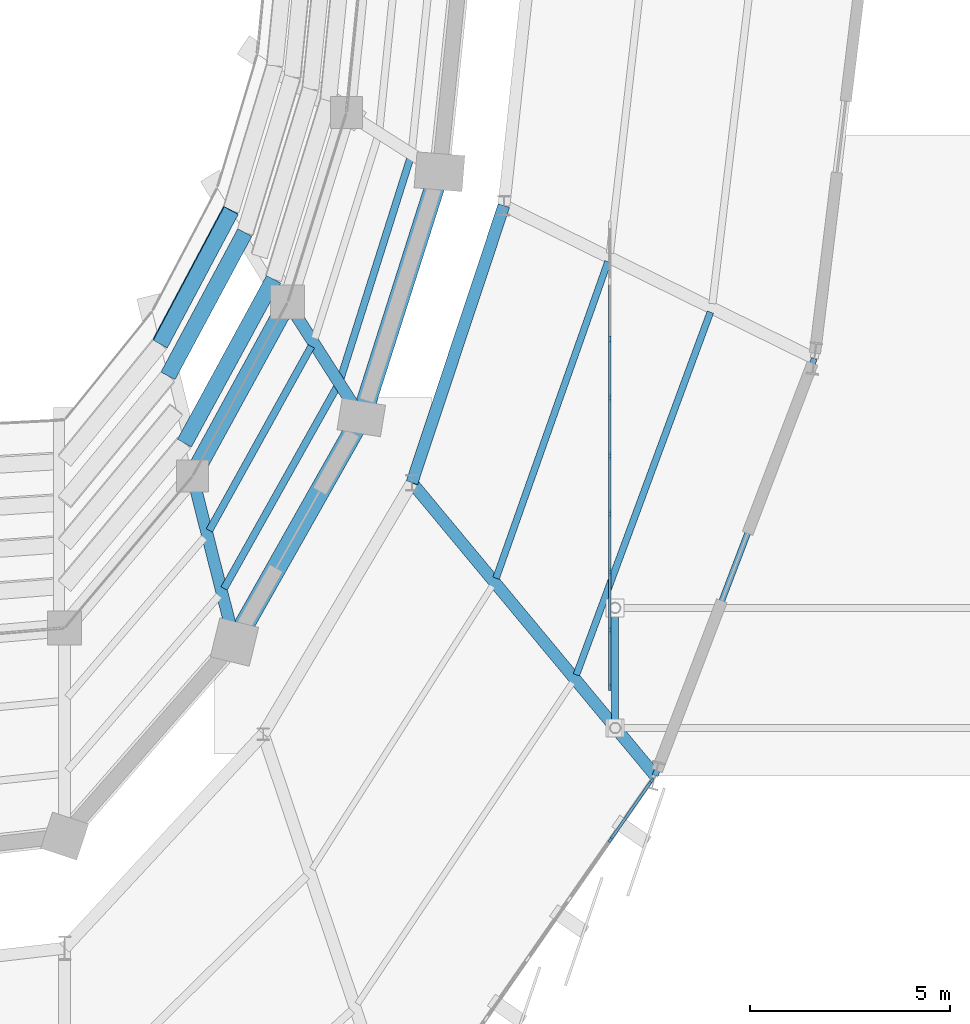
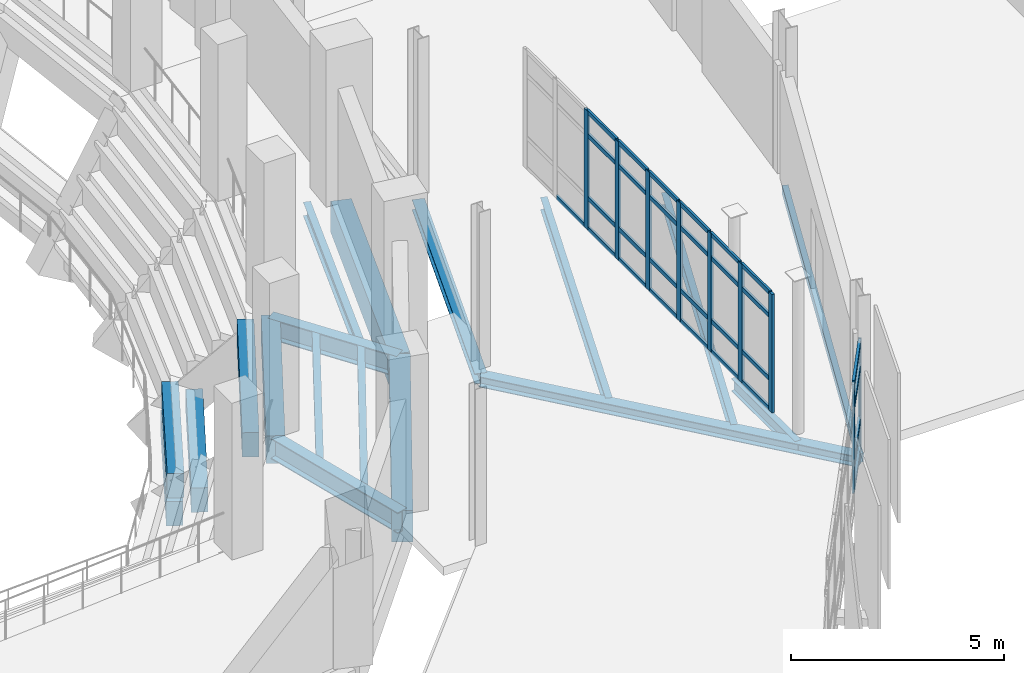
# One storey, part 68 of 134: 38 members, 18 beams, 2 elements without a shape of their own.
"""IFC4 building model written with IfcOpenShell, lengths in metres."""

from ifc_helpers import new_model, si_unit, direction, frame, origin, origin_2d, place, context, subcontext, project, spatial, rectangle, hollow_rectangle, i_section, extrude, material, layer, layer_set, material_profile, profile_set, type_object, element, aggregate, save


model = new_model("IFC4")

# Units and contexts
model_context = context("Model", 3, precision=1e-05, world=origin(), true_north=direction((0.0, 1.0)))
body_context = subcontext(model_context, "Body", "Model", "MODEL_VIEW")
ifc_project = project(units=[si_unit("LENGTHUNIT", "METRE"), si_unit("AREAUNIT", "SQUARE_METRE"), si_unit("VOLUMEUNIT", "CUBIC_METRE"), si_unit("PLANEANGLEUNIT", "RADIAN"), si_unit("MASSUNIT", "GRAM", prefix="KILO")], contexts=[model_context])

# Site, building, storey
site_placement = place(None, origin())
site = spatial("IfcSite", under=ifc_project, at=site_placement, CompositionType="ELEMENT")
building_placement = place(site_placement, origin())
building = spatial("IfcBuilding", under=site, at=building_placement, Name="Sohan Crest Arena", CompositionType="ELEMENT")
storey_placement = place(building_placement, frame((0.0, 0.0, 4.5)))
storey = spatial("IfcBuildingStorey", under=building, at=storey_placement, Name="L01", CompositionType="ELEMENT", Elevation=4.5)

# Curtain wall, members
ifc_material_1 = material(Name="Thermally broken anodised aluminium", Category="aluminium")
ifc_layer_1 = layer(ifc_material_1, 0.219970703125, Name="Thermally broken anodised aluminium")
ifc_layer_set_1 = layer_set([ifc_layer_1], Name="Thermally broken anodised aluminium")
curtain_wall_type_1 = type_object("IfcCurtainWallType", Name="ARC-CW03", PredefinedType="NOTDEFINED", material=ifc_layer_set_1)
curtain_wall_1_placement = place(storey_placement, origin())
curtain_wall_1 = element("IfcCurtainWall", 1, at=curtain_wall_1_placement, inside=storey, type_object=curtain_wall_type_1, Name="Unitised curtain wall CW-038", PredefinedType="NOTDEFINED")
ifc_material_profile_1 = material_profile(ifc_material_1, rectangle(XDim=0.06005859375, YDim=0.159912109375, at=origin_2d()), Name="ALU-MULL 60x160")
ifc_profile_set_1 = profile_set([ifc_material_profile_1], Name="Thermally broken anodised aluminium")
member_type_1 = type_object("IfcMemberType", Name="ARC-CW-ML01", PredefinedType="MULLION", material=ifc_profile_set_1)
member_1_placement = place(storey_placement, frame((181.638671875, 54.91357421875, 0.0), z_axis=(0.0, 0.0, 1.0), x_axis=(-0.821013728019, 0.570908450107, 0.0)))
member_1 = element("IfcMember", 2, at=member_1_placement, type_object=member_type_1, Name="CW-038 mullion 6", PredefinedType="MULLION", context=body_context, shape_type="SweptSolid", body=[
    extrude(rectangle(XDim=0.06005859375, YDim=0.159912109375, at=origin_2d()), origin(), (0.0, 0.0, 1.0), 3.1201171875),
])
member_2_placement = place(storey_placement, frame((182.657958984375, 56.37939453125, 0.0), z_axis=(0.0, 0.0, 1.0), x_axis=(-0.821013728019, 0.570908450107, 0.0)))
member_2 = element("IfcMember", 3, at=member_2_placement, type_object=member_type_1, Name="CW-038 mullion 7", PredefinedType="MULLION", context=body_context, shape_type="SweptSolid", body=[
    extrude(rectangle(XDim=0.06005859375, YDim=0.159912109375, at=origin_2d()), origin(), (0.0, 0.0, 1.0), 3.1201171875),
])

ifc_layer_2 = layer(ifc_material_1, 0.18994140625, Name="Thermally broken anodised aluminium")
ifc_layer_set_2 = layer_set([ifc_layer_2], Name="Thermally broken anodised aluminium")
curtain_wall_type_2 = type_object("IfcCurtainWallType", Name="ARC-CW05", PredefinedType="NOTDEFINED", material=ifc_layer_set_2)
curtain_wall_2_placement = place(storey_placement, origin())
curtain_wall_2 = element("IfcCurtainWall", 4, at=curtain_wall_2_placement, inside=storey, type_object=curtain_wall_type_2, Name="Unitised curtain wall CW-241", PredefinedType="NOTDEFINED")
ifc_material_profile_2 = material_profile(ifc_material_1, rectangle(XDim=0.06494140625, YDim=0.179931640625, at=origin_2d()), Name="ALU-MULL 65x180")
ifc_profile_set_2 = profile_set([ifc_material_profile_2], Name="Thermally broken anodised aluminium")
member_type_2 = type_object("IfcMemberType", Name="ARC-CW-ML02", PredefinedType="MULLION", material=ifc_profile_set_2)
member_3_placement = place(storey_placement, frame((181.6201171875, 58.732421875, 0.0), z_axis=(0.0, 0.0, 1.0), x_axis=(-1.0, 0.0, 0.0)))
member_3 = element("IfcMember", 5, at=member_3_placement, type_object=member_type_2, Name="CW-241 mullion 1", PredefinedType="MULLION", context=body_context, shape_type="SweptSolid", body=[
    extrude(rectangle(XDim=0.06494140625, YDim=0.179931640625, at=origin_2d()), origin(), (0.0, 0.0, 1.0), 3.39990234375),
])
member_4_placement = place(storey_placement, frame((181.6201171875, 60.14990234375, 0.0), z_axis=(0.0, 0.0, 1.0), x_axis=(-1.0, 0.0, 0.0)))
member_4 = element("IfcMember", 6, at=member_4_placement, type_object=member_type_2, Name="CW-241 mullion 2", PredefinedType="MULLION", context=body_context, shape_type="SweptSolid", body=[
    extrude(rectangle(XDim=0.06494140625, YDim=0.179931640625, at=origin_2d()), origin(), (0.0, 0.0, 1.0), 3.39990234375),
])
member_5_placement = place(storey_placement, frame((181.6201171875, 61.60009765625, 0.0), z_axis=(0.0, 0.0, 1.0), x_axis=(-1.0, 0.0, 0.0)))
member_5 = element("IfcMember", 7, at=member_5_placement, type_object=member_type_2, Name="CW-241 mullion 3", PredefinedType="MULLION", context=body_context, shape_type="SweptSolid", body=[
    extrude(rectangle(XDim=0.06494140625, YDim=0.179931640625, at=origin_2d()), origin(), (0.0, 0.0, 1.0), 3.39990234375),
])
member_6_placement = place(storey_placement, frame((181.6201171875, 63.050048828125, 0.0), z_axis=(0.0, 0.0, 1.0), x_axis=(-1.0, 0.0, 0.0)))
member_6 = element("IfcMember", 8, at=member_6_placement, type_object=member_type_2, Name="CW-241 mullion 4", PredefinedType="MULLION", context=body_context, shape_type="SweptSolid", body=[
    extrude(rectangle(XDim=0.06494140625, YDim=0.179931640625, at=origin_2d()), origin(), (0.0, 0.0, 1.0), 3.39990234375),
])
member_7_placement = place(storey_placement, frame((181.6201171875, 64.5, 0.0), z_axis=(0.0, 0.0, 1.0), x_axis=(-1.0, 0.0, 0.0)))
member_7 = element("IfcMember", 9, at=member_7_placement, type_object=member_type_2, Name="CW-241 mullion 5", PredefinedType="MULLION", context=body_context, shape_type="SweptSolid", body=[
    extrude(rectangle(XDim=0.06494140625, YDim=0.179931640625, at=origin_2d()), origin(), (0.0, 0.0, 1.0), 3.39990234375),
])
member_8_placement = place(storey_placement, frame((181.6201171875, 65.949951171875, 0.0), z_axis=(0.0, 0.0, 1.0), x_axis=(-1.0, 0.0, 0.0)))
member_8 = element("IfcMember", 10, at=member_8_placement, type_object=member_type_2, Name="CW-241 mullion 6", PredefinedType="MULLION", context=body_context, shape_type="SweptSolid", body=[
    extrude(rectangle(XDim=0.06494140625, YDim=0.179931640625, at=origin_2d()), origin(), (0.0, 0.0, 1.0), 3.39990234375),
])
member_9_placement = place(storey_placement, frame((181.6201171875, 67.39990234375, 0.0), z_axis=(0.0, 0.0, 1.0), x_axis=(-1.0, 0.0, 0.0)))
member_9 = element("IfcMember", 11, at=member_9_placement, type_object=member_type_2, Name="CW-241 mullion 7", PredefinedType="MULLION", context=body_context, shape_type="SweptSolid", body=[
    extrude(rectangle(XDim=0.06494140625, YDim=0.179931640625, at=origin_2d()), origin(), (0.0, 0.0, 1.0), 3.39990234375),
])
ifc_material_profile_3 = material_profile(ifc_material_1, rectangle(XDim=0.06005859375, YDim=0.1201171875, at=origin_2d()), Name="ALU-TRAN 60x120")
ifc_profile_set_3 = profile_set([ifc_material_profile_3], Name="Thermally broken anodised aluminium")
member_type_3 = type_object("IfcMemberType", Name="ARC-CW-TR01", PredefinedType="USERDEFINED", material=ifc_profile_set_3)
member_10_placement = place(storey_placement, frame((181.6201171875, 58.764892578125, 0.030029296875), z_axis=(0.0, 1.0, 0.0), x_axis=(-1.0, 0.0, 0.0)))
member_10 = element("IfcMember", 12, at=member_10_placement, type_object=member_type_3, Name="CW-241 transom 1.1", ObjectType="TRANSOM", PredefinedType="USERDEFINED", context=body_context, shape_type="SweptSolid", body=[
    extrude(rectangle(XDim=0.06005859375, YDim=0.1201171875, at=origin_2d()), origin(), (0.0, 0.0, 1.0), 1.3525390625),
])
member_11_placement = place(storey_placement, frame((181.6201171875, 58.764892578125, 0.89990234375), z_axis=(0.0, 1.0, 0.0), x_axis=(-1.0, 0.0, 0.0)))
member_11 = element("IfcMember", 13, at=member_11_placement, type_object=member_type_3, Name="CW-241 transom 1.2", ObjectType="TRANSOM", PredefinedType="USERDEFINED", context=body_context, shape_type="SweptSolid", body=[
    extrude(rectangle(XDim=0.06005859375, YDim=0.1201171875, at=origin_2d()), origin(), (0.0, 0.0, 1.0), 1.3525390625),
])
member_12_placement = place(storey_placement, frame((181.6201171875, 58.764892578125, 2.699951171875), z_axis=(0.0, 1.0, 0.0), x_axis=(-1.0, 0.0, 0.0)))
member_12 = element("IfcMember", 14, at=member_12_placement, type_object=member_type_3, Name="CW-241 transom 1.3", ObjectType="TRANSOM", PredefinedType="USERDEFINED", context=body_context, shape_type="SweptSolid", body=[
    extrude(rectangle(XDim=0.06005859375, YDim=0.1201171875, at=origin_2d()), origin(), (0.0, 0.0, 1.0), 1.3525390625),
])
member_13_placement = place(storey_placement, frame((181.6201171875, 58.764892578125, 3.3701171875), z_axis=(0.0, 1.0, 0.0), x_axis=(-1.0, 0.0, 0.0)))
member_13 = element("IfcMember", 15, at=member_13_placement, type_object=member_type_3, Name="CW-241 transom 1.4", ObjectType="TRANSOM", PredefinedType="USERDEFINED", context=body_context, shape_type="SweptSolid", body=[
    extrude(rectangle(XDim=0.06005859375, YDim=0.1201171875, at=origin_2d()), origin(), (0.0, 0.0, 1.0), 1.3525390625),
])
member_14_placement = place(storey_placement, frame((181.6201171875, 60.1826171875, 0.030029296875), z_axis=(0.0, 1.0, 0.0), x_axis=(-1.0, 0.0, 0.0)))
member_14 = element("IfcMember", 16, at=member_14_placement, type_object=member_type_3, Name="CW-241 transom 2.1", ObjectType="TRANSOM", PredefinedType="USERDEFINED", context=body_context, shape_type="SweptSolid", body=[
    extrude(rectangle(XDim=0.06005859375, YDim=0.1201171875, at=origin_2d()), origin(), (0.0, 0.0, 1.0), 1.384765625),
])
member_15_placement = place(storey_placement, frame((181.6201171875, 60.1826171875, 0.89990234375), z_axis=(0.0, 1.0, 0.0), x_axis=(-1.0, 0.0, 0.0)))
member_15 = element("IfcMember", 17, at=member_15_placement, type_object=member_type_3, Name="CW-241 transom 2.2", ObjectType="TRANSOM", PredefinedType="USERDEFINED", context=body_context, shape_type="SweptSolid", body=[
    extrude(rectangle(XDim=0.06005859375, YDim=0.1201171875, at=origin_2d()), origin(), (0.0, 0.0, 1.0), 1.384765625),
])
member_16_placement = place(storey_placement, frame((181.6201171875, 60.1826171875, 2.699951171875), z_axis=(0.0, 1.0, 0.0), x_axis=(-1.0, 0.0, 0.0)))
member_16 = element("IfcMember", 18, at=member_16_placement, type_object=member_type_3, Name="CW-241 transom 2.3", ObjectType="TRANSOM", PredefinedType="USERDEFINED", context=body_context, shape_type="SweptSolid", body=[
    extrude(rectangle(XDim=0.06005859375, YDim=0.1201171875, at=origin_2d()), origin(), (0.0, 0.0, 1.0), 1.384765625),
])
member_17_placement = place(storey_placement, frame((181.6201171875, 60.1826171875, 3.3701171875), z_axis=(0.0, 1.0, 0.0), x_axis=(-1.0, 0.0, 0.0)))
member_17 = element("IfcMember", 19, at=member_17_placement, type_object=member_type_3, Name="CW-241 transom 2.4", ObjectType="TRANSOM", PredefinedType="USERDEFINED", context=body_context, shape_type="SweptSolid", body=[
    extrude(rectangle(XDim=0.06005859375, YDim=0.1201171875, at=origin_2d()), origin(), (0.0, 0.0, 1.0), 1.384765625),
])
member_18_placement = place(storey_placement, frame((181.6201171875, 61.632568359375, 0.030029296875), z_axis=(0.0, 1.0, 0.0), x_axis=(-1.0, 0.0, 0.0)))
member_18 = element("IfcMember", 20, at=member_18_placement, type_object=member_type_3, Name="CW-241 transom 3.1", ObjectType="TRANSOM", PredefinedType="USERDEFINED", context=body_context, shape_type="SweptSolid", body=[
    extrude(rectangle(XDim=0.06005859375, YDim=0.1201171875, at=origin_2d()), origin(), (0.0, 0.0, 1.0), 1.385009765625),
])
member_19_placement = place(storey_placement, frame((181.6201171875, 61.632568359375, 0.89990234375), z_axis=(0.0, 1.0, 0.0), x_axis=(-1.0, 0.0, 0.0)))
member_19 = element("IfcMember", 21, at=member_19_placement, type_object=member_type_3, Name="CW-241 transom 3.2", ObjectType="TRANSOM", PredefinedType="USERDEFINED", context=body_context, shape_type="SweptSolid", body=[
    extrude(rectangle(XDim=0.06005859375, YDim=0.1201171875, at=origin_2d()), origin(), (0.0, 0.0, 1.0), 1.385009765625),
])
member_20_placement = place(storey_placement, frame((181.6201171875, 61.632568359375, 2.699951171875), z_axis=(0.0, 1.0, 0.0), x_axis=(-1.0, 0.0, 0.0)))
member_20 = element("IfcMember", 22, at=member_20_placement, type_object=member_type_3, Name="CW-241 transom 3.3", ObjectType="TRANSOM", PredefinedType="USERDEFINED", context=body_context, shape_type="SweptSolid", body=[
    extrude(rectangle(XDim=0.06005859375, YDim=0.1201171875, at=origin_2d()), origin(), (0.0, 0.0, 1.0), 1.385009765625),
])
member_21_placement = place(storey_placement, frame((181.6201171875, 61.632568359375, 3.3701171875), z_axis=(0.0, 1.0, 0.0), x_axis=(-1.0, 0.0, 0.0)))
member_21 = element("IfcMember", 23, at=member_21_placement, type_object=member_type_3, Name="CW-241 transom 3.4", ObjectType="TRANSOM", PredefinedType="USERDEFINED", context=body_context, shape_type="SweptSolid", body=[
    extrude(rectangle(XDim=0.06005859375, YDim=0.1201171875, at=origin_2d()), origin(), (0.0, 0.0, 1.0), 1.385009765625),
])
member_22_placement = place(storey_placement, frame((181.6201171875, 63.08251953125, 0.030029296875), z_axis=(0.0, 1.0, 0.0), x_axis=(-1.0, 0.0, 0.0)))
member_22 = element("IfcMember", 24, at=member_22_placement, type_object=member_type_3, Name="CW-241 transom 4.1", ObjectType="TRANSOM", PredefinedType="USERDEFINED", context=body_context, shape_type="SweptSolid", body=[
    extrude(rectangle(XDim=0.06005859375, YDim=0.1201171875, at=origin_2d()), origin(), (0.0, 0.0, 1.0), 1.385009765625),
])
member_23_placement = place(storey_placement, frame((181.6201171875, 63.08251953125, 0.89990234375), z_axis=(0.0, 1.0, 0.0), x_axis=(-1.0, 0.0, 0.0)))
member_23 = element("IfcMember", 25, at=member_23_placement, type_object=member_type_3, Name="CW-241 transom 4.2", ObjectType="TRANSOM", PredefinedType="USERDEFINED", context=body_context, shape_type="SweptSolid", body=[
    extrude(rectangle(XDim=0.06005859375, YDim=0.1201171875, at=origin_2d()), origin(), (0.0, 0.0, 1.0), 1.385009765625),
])
member_24_placement = place(storey_placement, frame((181.6201171875, 63.08251953125, 2.699951171875), z_axis=(0.0, 1.0, 0.0), x_axis=(-1.0, 0.0, 0.0)))
member_24 = element("IfcMember", 26, at=member_24_placement, type_object=member_type_3, Name="CW-241 transom 4.3", ObjectType="TRANSOM", PredefinedType="USERDEFINED", context=body_context, shape_type="SweptSolid", body=[
    extrude(rectangle(XDim=0.06005859375, YDim=0.1201171875, at=origin_2d()), origin(), (0.0, 0.0, 1.0), 1.385009765625),
])
member_25_placement = place(storey_placement, frame((181.6201171875, 63.08251953125, 3.3701171875), z_axis=(0.0, 1.0, 0.0), x_axis=(-1.0, 0.0, 0.0)))
member_25 = element("IfcMember", 27, at=member_25_placement, type_object=member_type_3, Name="CW-241 transom 4.4", ObjectType="TRANSOM", PredefinedType="USERDEFINED", context=body_context, shape_type="SweptSolid", body=[
    extrude(rectangle(XDim=0.06005859375, YDim=0.1201171875, at=origin_2d()), origin(), (0.0, 0.0, 1.0), 1.385009765625),
])
member_26_placement = place(storey_placement, frame((181.6201171875, 64.532470703125, 0.030029296875), z_axis=(0.0, 1.0, 0.0), x_axis=(-1.0, 0.0, 0.0)))
member_26 = element("IfcMember", 28, at=member_26_placement, type_object=member_type_3, Name="CW-241 transom 5.1", ObjectType="TRANSOM", PredefinedType="USERDEFINED", context=body_context, shape_type="SweptSolid", body=[
    extrude(rectangle(XDim=0.06005859375, YDim=0.1201171875, at=origin_2d()), origin(), (0.0, 0.0, 1.0), 1.385009765625),
])
member_27_placement = place(storey_placement, frame((181.6201171875, 64.532470703125, 0.89990234375), z_axis=(0.0, 1.0, 0.0), x_axis=(-1.0, 0.0, 0.0)))
member_27 = element("IfcMember", 29, at=member_27_placement, type_object=member_type_3, Name="CW-241 transom 5.2", ObjectType="TRANSOM", PredefinedType="USERDEFINED", context=body_context, shape_type="SweptSolid", body=[
    extrude(rectangle(XDim=0.06005859375, YDim=0.1201171875, at=origin_2d()), origin(), (0.0, 0.0, 1.0), 1.385009765625),
])
member_28_placement = place(storey_placement, frame((181.6201171875, 64.532470703125, 2.699951171875), z_axis=(0.0, 1.0, 0.0), x_axis=(-1.0, 0.0, 0.0)))
member_28 = element("IfcMember", 30, at=member_28_placement, type_object=member_type_3, Name="CW-241 transom 5.3", ObjectType="TRANSOM", PredefinedType="USERDEFINED", context=body_context, shape_type="SweptSolid", body=[
    extrude(rectangle(XDim=0.06005859375, YDim=0.1201171875, at=origin_2d()), origin(), (0.0, 0.0, 1.0), 1.385009765625),
])
member_29_placement = place(storey_placement, frame((181.6201171875, 64.532470703125, 3.3701171875), z_axis=(0.0, 1.0, 0.0), x_axis=(-1.0, 0.0, 0.0)))
member_29 = element("IfcMember", 31, at=member_29_placement, type_object=member_type_3, Name="CW-241 transom 5.4", ObjectType="TRANSOM", PredefinedType="USERDEFINED", context=body_context, shape_type="SweptSolid", body=[
    extrude(rectangle(XDim=0.06005859375, YDim=0.1201171875, at=origin_2d()), origin(), (0.0, 0.0, 1.0), 1.385009765625),
])
member_30_placement = place(storey_placement, frame((181.6201171875, 65.982421875, 0.030029296875), z_axis=(0.0, 1.0, 0.0), x_axis=(-1.0, 0.0, 0.0)))
member_30 = element("IfcMember", 32, at=member_30_placement, type_object=member_type_3, Name="CW-241 transom 6.1", ObjectType="TRANSOM", PredefinedType="USERDEFINED", context=body_context, shape_type="SweptSolid", body=[
    extrude(rectangle(XDim=0.06005859375, YDim=0.1201171875, at=origin_2d()), origin(), (0.0, 0.0, 1.0), 1.385009765625),
])
member_31_placement = place(storey_placement, frame((181.6201171875, 65.982421875, 0.89990234375), z_axis=(0.0, 1.0, 0.0), x_axis=(-1.0, 0.0, 0.0)))
member_31 = element("IfcMember", 33, at=member_31_placement, type_object=member_type_3, Name="CW-241 transom 6.2", ObjectType="TRANSOM", PredefinedType="USERDEFINED", context=body_context, shape_type="SweptSolid", body=[
    extrude(rectangle(XDim=0.06005859375, YDim=0.1201171875, at=origin_2d()), origin(), (0.0, 0.0, 1.0), 1.385009765625),
])
member_32_placement = place(storey_placement, frame((181.6201171875, 65.982421875, 2.699951171875), z_axis=(0.0, 1.0, 0.0), x_axis=(-1.0, 0.0, 0.0)))
member_32 = element("IfcMember", 34, at=member_32_placement, type_object=member_type_3, Name="CW-241 transom 6.3", ObjectType="TRANSOM", PredefinedType="USERDEFINED", context=body_context, shape_type="SweptSolid", body=[
    extrude(rectangle(XDim=0.06005859375, YDim=0.1201171875, at=origin_2d()), origin(), (0.0, 0.0, 1.0), 1.385009765625),
])
member_33_placement = place(storey_placement, frame((181.6201171875, 65.982421875, 3.3701171875), z_axis=(0.0, 1.0, 0.0), x_axis=(-1.0, 0.0, 0.0)))
member_33 = element("IfcMember", 35, at=member_33_placement, type_object=member_type_3, Name="CW-241 transom 6.4", ObjectType="TRANSOM", PredefinedType="USERDEFINED", context=body_context, shape_type="SweptSolid", body=[
    extrude(rectangle(XDim=0.06005859375, YDim=0.1201171875, at=origin_2d()), origin(), (0.0, 0.0, 1.0), 1.385009765625),
])
member_34_placement = place(storey_placement, frame((181.6201171875, 67.4326171875, 0.030029296875), z_axis=(0.0, 1.0, 0.0), x_axis=(-1.0, 0.0, 0.0)))
member_34 = element("IfcMember", 36, at=member_34_placement, type_object=member_type_3, Name="CW-241 transom 7.1", ObjectType="TRANSOM", PredefinedType="USERDEFINED", context=body_context, shape_type="SweptSolid", body=[
    extrude(rectangle(XDim=0.06005859375, YDim=0.1201171875, at=origin_2d()), origin(), (0.0, 0.0, 1.0), 1.384765625),
])
aggregate(curtain_wall_2, [member_3, member_4, member_5, member_6, member_7, member_8, member_9, member_10, member_11, member_12, member_13, member_14, member_15, member_16, member_17, member_18, member_19, member_20, member_21, member_22, member_23, member_24, member_25, member_26, member_27, member_28, member_29, member_30, member_31, member_32, member_33, member_34])

# Member
ifc_material_profile_4 = material_profile(ifc_material_1, rectangle(XDim=0.070068359375, YDim=0.14990234375, at=origin_2d()), Name="ALU-TRAN 70x150")
ifc_profile_set_4 = profile_set([ifc_material_profile_4], Name="Thermally broken anodised aluminium")
member_type_4 = type_object("IfcMemberType", Name="ARC-CW-TR03", PredefinedType="USERDEFINED", material=ifc_profile_set_4)
member_35_placement = place(storey_placement, frame((181.65576171875, 54.938232421875, 0.034912109375), z_axis=(0.570857160232, 0.821049391092, 0.0), x_axis=(-0.821049391092, 0.570857160232, 0.0)))
member_35 = element("IfcMember", 37, at=member_35_placement, type_object=member_type_4, Name="CW-038 transom 6.1", ObjectType="TRANSOM", PredefinedType="USERDEFINED", context=body_context, shape_type="SweptSolid", body=[
    extrude(rectangle(XDim=0.070068359375, YDim=0.14990234375, at=origin_2d()), origin(), (0.0, 0.0, 1.0), 1.725341796875),
])

member_36_placement = place(storey_placement, frame((181.65576171875, 54.938232421875, 0.89990234375), z_axis=(0.570857160232, 0.821049391092, 0.0), x_axis=(-0.821049391092, 0.570857160232, 0.0)))
member_36 = element("IfcMember", 38, at=member_36_placement, type_object=member_type_4, Name="CW-038 transom 6.2", ObjectType="TRANSOM", PredefinedType="USERDEFINED", context=body_context, shape_type="SweptSolid", body=[
    extrude(rectangle(XDim=0.070068359375, YDim=0.14990234375, at=origin_2d()), origin(), (0.0, 0.0, 1.0), 1.725341796875),
])

member_37_placement = place(storey_placement, frame((181.65576171875, 54.938232421875, 2.419921875), z_axis=(0.570857160232, 0.821049391092, 0.0), x_axis=(-0.821049391092, 0.570857160232, 0.0)))
member_37 = element("IfcMember", 39, at=member_37_placement, type_object=member_type_4, Name="CW-038 transom 6.3", ObjectType="TRANSOM", PredefinedType="USERDEFINED", context=body_context, shape_type="SweptSolid", body=[
    extrude(rectangle(XDim=0.070068359375, YDim=0.14990234375, at=origin_2d()), origin(), (0.0, 0.0, 1.0), 1.725341796875),
])

member_38_placement = place(storey_placement, frame((181.65576171875, 54.938232421875, 3.0849609375), z_axis=(0.570857160232, 0.821049391092, 0.0), x_axis=(-0.821049391092, 0.570857160232, 0.0)))
member_38 = element("IfcMember", 40, at=member_38_placement, type_object=member_type_4, Name="CW-038 transom 6.4", ObjectType="TRANSOM", PredefinedType="USERDEFINED", context=body_context, shape_type="SweptSolid", body=[
    extrude(rectangle(XDim=0.070068359375, YDim=0.14990234375, at=origin_2d()), origin(), (0.0, 0.0, 1.0), 1.725341796875),
])

aggregate(curtain_wall_1, [member_1, member_2, member_35, member_36, member_37, member_38])

# Beams
ifc_material_2 = material(Name="Steel S355", Category="steel")
ifc_material_profile_5 = material_profile(ifc_material_2, i_section(OverallWidth=0.169921875, OverallDepth=0.360107421875, WebThickness=0.008056640625, FlangeThickness=0.0126953125, at=origin_2d()), Name="IPE 360")
ifc_profile_set_5 = profile_set([ifc_material_profile_5], Name="Steel S355")
beam_type_1 = type_object("IfcBeamType", Name="STR-BM-B02", PredefinedType="JOIST", material=ifc_profile_set_5)
beam_1_placement = place(storey_placement, frame((178.77587890625, 61.44189453125, -0.455078125), z_axis=(0.333403454645, 0.942784247021, 0.0), x_axis=(-0.942784247021, 0.333403454645, 0.0)))
element("IfcBeam", 41, at=beam_1_placement, inside=storey, type_object=beam_type_1, Name="Structural beam J-L01-1185", PredefinedType="JOIST", context=body_context, shape_type="SweptSolid", body=[
    extrude(i_section(OverallWidth=0.169921875, OverallDepth=0.360107421875, WebThickness=0.008056640625, FlangeThickness=0.0126953125, at=origin_2d()), origin(), (0.0, 0.0, 1.0), 8.3837890625),
])
beam_2_placement = place(storey_placement, frame((180.781982421875, 59.028076171875, -0.455078125), z_axis=(0.346567455642, 0.938025052272, 0.0), x_axis=(-0.938025052272, 0.346567455642, 0.0)))
element("IfcBeam", 42, at=beam_2_placement, inside=storey, type_object=beam_type_1, Name="Structural beam J-L01-1186", PredefinedType="JOIST", context=body_context, shape_type="SweptSolid", body=[
    extrude(i_section(OverallWidth=0.169921875, OverallDepth=0.360107421875, WebThickness=0.008056640625, FlangeThickness=0.0126953125, at=origin_2d()), origin(), (0.0, 0.0, 1.0), 9.657470703125),
])
beam_3_placement = place(storey_placement, frame((181.75, 57.699951171875, -0.455078125), z_axis=(0.0, 1.0, 0.0), x_axis=(-1.0, 0.0, 0.0)))
element("IfcBeam", 43, at=beam_3_placement, inside=storey, type_object=beam_type_1, Name="Structural beam BG-L01-2964", PredefinedType="JOIST", context=body_context, shape_type="SweptSolid", body=[
    extrude(i_section(OverallWidth=0.169921875, OverallDepth=0.360107421875, WebThickness=0.008056640625, FlangeThickness=0.0126953125, at=origin_2d()), origin(), (0.0, 0.0, 1.0), 3.0),
])
ifc_material_profile_6 = material_profile(ifc_material_2, i_section(OverallWidth=0.179931640625, OverallDepth=0.39990234375, WebThickness=0.008544921875, FlangeThickness=0.013427734375, at=origin_2d()), Name="IPE 400")
ifc_profile_set_6 = profile_set([ifc_material_profile_6], Name="Steel S355")
beam_type_2 = type_object("IfcBeamType", Name="STR-BM-B03", PredefinedType="JOIST", material=ifc_profile_set_6)
beam_4_placement = place(storey_placement, frame((171.614013671875, 62.634033203125, -0.449951171875), z_axis=(0.484550137215, 0.874763490622, 0.0), x_axis=(-0.874763490622, 0.484550137215, 0.0)))
element("IfcBeam", 44, at=beam_4_placement, inside=storey, type_object=beam_type_2, Name="Structural beam J-L01-0507", PredefinedType="JOIST", context=body_context, shape_type="SweptSolid", body=[
    extrude(i_section(OverallWidth=0.179931640625, OverallDepth=0.39990234375, WebThickness=0.008544921875, FlangeThickness=0.013427734375, at=origin_2d()), origin(), (0.0, 0.0, 1.0), 5.256103515625),
])
beam_5_placement = place(storey_placement, frame((171.98193359375, 61.18505859375, -0.449951171875), z_axis=(0.488712798321, 0.872444726477, 0.0), x_axis=(-0.872444726477, 0.488712798321, 0.0)))
element("IfcBeam", 45, at=beam_5_placement, inside=storey, type_object=beam_type_2, Name="Structural beam J-L01-0508", PredefinedType="JOIST", context=body_context, shape_type="SweptSolid", body=[
    extrude(i_section(OverallWidth=0.179931640625, OverallDepth=0.39990234375, WebThickness=0.008544921875, FlangeThickness=0.013427734375, at=origin_2d()), origin(), (0.0, 0.0, 1.0), 5.7744140625),
])
beam_6_placement = place(storey_placement, frame((174.89111328125, 66.424072265625, -0.449951171875), z_axis=(0.301440884565, 0.953484867794, 0.0), x_axis=(-0.953484867794, 0.301440884565, 0.0)))
element("IfcBeam", 46, at=beam_6_placement, inside=storey, type_object=beam_type_2, Name="Structural beam J-L01-0531", PredefinedType="JOIST", context=body_context, shape_type="SweptSolid", body=[
    extrude(i_section(OverallWidth=0.179931640625, OverallDepth=0.39990234375, WebThickness=0.008544921875, FlangeThickness=0.013427734375, at=origin_2d()), origin(), (0.0, 0.0, 1.0), 5.775390625),
])
ifc_material_profile_7 = material_profile(ifc_material_2, i_section(OverallWidth=0.300048828125, OverallDepth=0.590087890625, WebThickness=0.012939453125, FlangeThickness=0.02490234375, at=origin_2d()), Name="HEA 600")
ifc_profile_set_7 = profile_set([ifc_material_profile_7], Name="Steel S355")
beam_type_3 = type_object("IfcBeamType", Name="STR-BM-B11", PredefinedType="BEAM", material=ifc_profile_set_7)
beam_7_placement = place(storey_placement, frame((171.194091796875, 63.988037109375, -0.544921875), z_axis=(0.245465367753, -0.969405360638, 0.0), x_axis=(0.969405360638, 0.245465367753, 0.0)))
element("IfcBeam", 47, at=beam_7_placement, inside=storey, type_object=beam_type_3, Name="Structural beam G-L01-0506", PredefinedType="BEAM", context=body_context, shape_type="SweptSolid", body=[
    extrude(i_section(OverallWidth=0.300048828125, OverallDepth=0.590087890625, WebThickness=0.012939453125, FlangeThickness=0.02490234375, at=origin_2d()), origin(), (0.0, 0.0, 1.0), 4.272705078125),
])
beam_8_placement = place(storey_placement, frame((173.571044921875, 68.3359375, -0.544921875), z_axis=(0.537836706891, -0.843049035775, 0.0), x_axis=(0.843049035775, 0.537836706891, 0.0)))
element("IfcBeam", 48, at=beam_8_placement, inside=storey, type_object=beam_type_3, Name="Structural beam G-L01-0529", PredefinedType="BEAM", context=body_context, shape_type="SweptSolid", body=[
    extrude(i_section(OverallWidth=0.300048828125, OverallDepth=0.590087890625, WebThickness=0.012939453125, FlangeThickness=0.02490234375, at=origin_2d()), origin(), (0.0, 0.0, 1.0), 3.417236328125),
])
ifc_material_profile_8 = material_profile(ifc_material_2, i_section(OverallWidth=0.300048828125, OverallDepth=0.300048828125, WebThickness=0.010986328125, FlangeThickness=0.01904296875, at=origin_2d()), Name="HEB 300")
ifc_profile_set_8 = profile_set([ifc_material_profile_8], Name="Steel S355")
beam_type_4 = type_object("IfcBeamType", Name="STR-BM-B12", PredefinedType="BEAM", material=ifc_profile_set_8)
beam_9_placement = place(storey_placement, frame((176.674072265625, 63.824951171875, -0.425048828125), z_axis=(0.638940924568, -0.7692558059, 0.0), x_axis=(0.7692558059, 0.638940924568, 0.0)))
element("IfcBeam", 49, at=beam_9_placement, inside=storey, type_object=beam_type_4, Name="Structural beam G-L01-1182", PredefinedType="BEAM", context=body_context, shape_type="SweptSolid", body=[
    extrude(i_section(OverallWidth=0.300048828125, OverallDepth=0.300048828125, WebThickness=0.010986328125, FlangeThickness=0.01904296875, at=origin_2d()), origin(), (0.0, 0.0, 1.0), 9.5078125),
])
beam_10_placement = place(storey_placement, frame((176.674072265625, 63.824951171875, -0.425048828125), z_axis=(0.315012572955, 0.949087498011, 0.0), x_axis=(-0.949087498011, 0.315012572955, 0.0)))
element("IfcBeam", 50, at=beam_10_placement, inside=storey, type_object=beam_type_4, Name="Structural beam G-L01-1183", PredefinedType="BEAM", context=body_context, shape_type="SweptSolid", body=[
    extrude(i_section(OverallWidth=0.300048828125, OverallDepth=0.300048828125, WebThickness=0.010986328125, FlangeThickness=0.01904296875, at=origin_2d()), origin(), (0.0, 0.0, 1.0), 7.29443359375),
])
ifc_material_profile_9 = material_profile(ifc_material_2, hollow_rectangle(XDim=0.14990234375, YDim=0.25, WallThickness=0.010009765625, at=origin_2d()), Name="RHS 250x150x10")
ifc_profile_set_9 = profile_set([ifc_material_profile_9], Name="Steel S355")
beam_type_5 = type_object("IfcBeamType", Name="STR-BM-SP02", PredefinedType="SPANDREL", material=ifc_profile_set_9)
beam_11_placement = place(storey_placement, frame((182.7490234375, 56.510986328125, -0.39990234375), z_axis=(0.356539672716, 0.934280183767, 0.0), x_axis=(-0.934280183767, 0.356539672716, 0.0)))
element("IfcBeam", 51, at=beam_11_placement, inside=storey, type_object=beam_type_5, Name="Structural beam SP-L01-1184", PredefinedType="SPANDREL", context=body_context, shape_type="SweptSolid", body=[
    extrude(hollow_rectangle(XDim=0.14990234375, YDim=0.25, WallThickness=0.010009765625, at=origin_2d()), origin(), (0.0, 0.0, 1.0), 11.15185546875),
])
ifc_material_3 = material(Name="Concrete C40/50", Category="concrete")
ifc_material_profile_10 = material_profile(ifc_material_3, rectangle(XDim=0.39990234375, YDim=0.699951171875, at=origin_2d()), Name="RC-BM 400x700")
ifc_profile_set_10 = profile_set([ifc_material_profile_10], Name="Concrete C40/50")
beam_type_6 = type_object("IfcBeamType", Name="STR-BM-TB01", PredefinedType="BEAM", material=ifc_profile_set_10)
beam_12_placement = place(storey_placement, frame((170.3798828125, 67.320068359375, -4.220947265625), z_axis=(0.469194722101, 0.883094736001, 0.0), x_axis=(-0.883094736001, 0.469194722101, 0.0)))
element("IfcBeam", 52, at=beam_12_placement, inside=storey, type_object=beam_type_6, Name="Tier rear stringer beam TSB-L166B", PredefinedType="BEAM", context=body_context, shape_type="SweptSolid", body=[
    extrude(rectangle(XDim=0.39990234375, YDim=0.699951171875, at=origin_2d()), origin(), (0.0, 0.0, 1.0), 3.76611328125),
])
beam_13_placement = place(storey_placement, frame((170.387939453125, 67.287109375, -3.40087890625), z_axis=(0.469306420807, 0.883035380599, 0.0), x_axis=(-0.883035380599, 0.469306420807, 0.0)))
element("IfcBeam", 53, at=beam_13_placement, inside=storey, type_object=beam_type_6, Name="Tier front stringer beam TSB-L167A", PredefinedType="BEAM", context=body_context, shape_type="SweptSolid", body=[
    extrude(rectangle(XDim=0.39990234375, YDim=0.699951171875, at=origin_2d()), origin(), (0.0, 0.0, 1.0), 3.77783203125),
])
beam_14_placement = place(storey_placement, frame((170.5810546875, 66.4951171875, -3.40087890625), z_axis=(0.472546710025, 0.881305626241, 0.0), x_axis=(-0.881305626241, 0.472546710025, 0.0)))
element("IfcBeam", 54, at=beam_14_placement, inside=storey, type_object=beam_type_6, Name="Tier rear stringer beam TSB-L167B", PredefinedType="BEAM", context=body_context, shape_type="SweptSolid", body=[
    extrude(rectangle(XDim=0.39990234375, YDim=0.699951171875, at=origin_2d()), origin(), (0.0, 0.0, 1.0), 4.060791015625),
])
beam_15_placement = place(storey_placement, frame((170.991943359375, 64.81298828125, -0.94091796875), z_axis=(0.47776556485, 0.878487373298, 0.0), x_axis=(-0.878487373298, 0.47776556485, 0.0)))
element("IfcBeam", 55, at=beam_15_placement, inside=storey, type_object=beam_type_6, Name="Tier front stringer beam TSB-L168A", PredefinedType="BEAM", context=body_context, shape_type="SweptSolid", body=[
    extrude(rectangle(XDim=0.39990234375, YDim=0.699951171875, at=origin_2d()), origin(), (0.0, 0.0, 1.0), 4.661376953125),
])
ifc_material_profile_11 = material_profile(ifc_material_3, rectangle(XDim=0.449951171875, YDim=0.800048828125, at=origin_2d()), Name="RC-BM 450x800")
ifc_profile_set_11 = profile_set([ifc_material_profile_11], Name="Concrete C40/50")
beam_type_7 = type_object("IfcBeamType", Name="STR-BM-TB02", PredefinedType="BEAM", material=ifc_profile_set_11)
beam_16_placement = place(storey_placement, frame((171.194091796875, 63.988037109375, -0.64990234375), z_axis=(0.479687297687, 0.877439511555, 0.0), x_axis=(-0.877439511555, 0.479687297687, 0.0)))
element("IfcBeam", 56, at=beam_16_placement, inside=storey, type_object=beam_type_7, Name="Structural beam TB-L01-0504", PredefinedType="BEAM", context=body_context, shape_type="SweptSolid", body=[
    extrude(rectangle(XDim=0.449951171875, YDim=0.800048828125, at=origin_2d()), origin(), (0.0, 0.0, 1.0), 4.955322265625),
])
ifc_material_profile_12 = material_profile(ifc_material_3, rectangle(XDim=0.5, YDim=0.89990234375, at=origin_2d()), Name="RC-BM 500x900")
ifc_profile_set_12 = profile_set([ifc_material_profile_12], Name="Concrete C40/50")
beam_type_8 = type_object("IfcBeamType", Name="STR-BM-TB03", PredefinedType="BEAM", material=ifc_profile_set_12)
beam_17_placement = place(storey_placement, frame((172.242919921875, 59.845947265625, -0.699951171875), z_axis=(0.491543833039, 0.870852834985, 0.0), x_axis=(-0.870852834985, 0.491543833039, 0.0)))
element("IfcBeam", 57, at=beam_17_placement, inside=storey, type_object=beam_type_8, Name="Structural beam TB-L01-0505", PredefinedType="BEAM", context=body_context, shape_type="SweptSolid", body=[
    extrude(rectangle(XDim=0.5, YDim=0.89990234375, at=origin_2d()), origin(), (0.0, 0.0, 1.0), 6.44091796875),
])
beam_18_placement = place(storey_placement, frame((175.408935546875, 65.455078125, -0.699951171875), z_axis=(0.303361657972, 0.952875492639, 0.0), x_axis=(-0.952875492639, 0.303361657972, 0.0)))
element("IfcBeam", 58, at=beam_18_placement, inside=storey, type_object=beam_type_8, Name="Structural beam TB-L01-0528", PredefinedType="BEAM", context=body_context, shape_type="SweptSolid", body=[
    extrude(rectangle(XDim=0.5, YDim=0.89990234375, at=origin_2d()), origin(), (0.0, 0.0, 1.0), 6.44140625),
])

save(model, "model.ifc")
